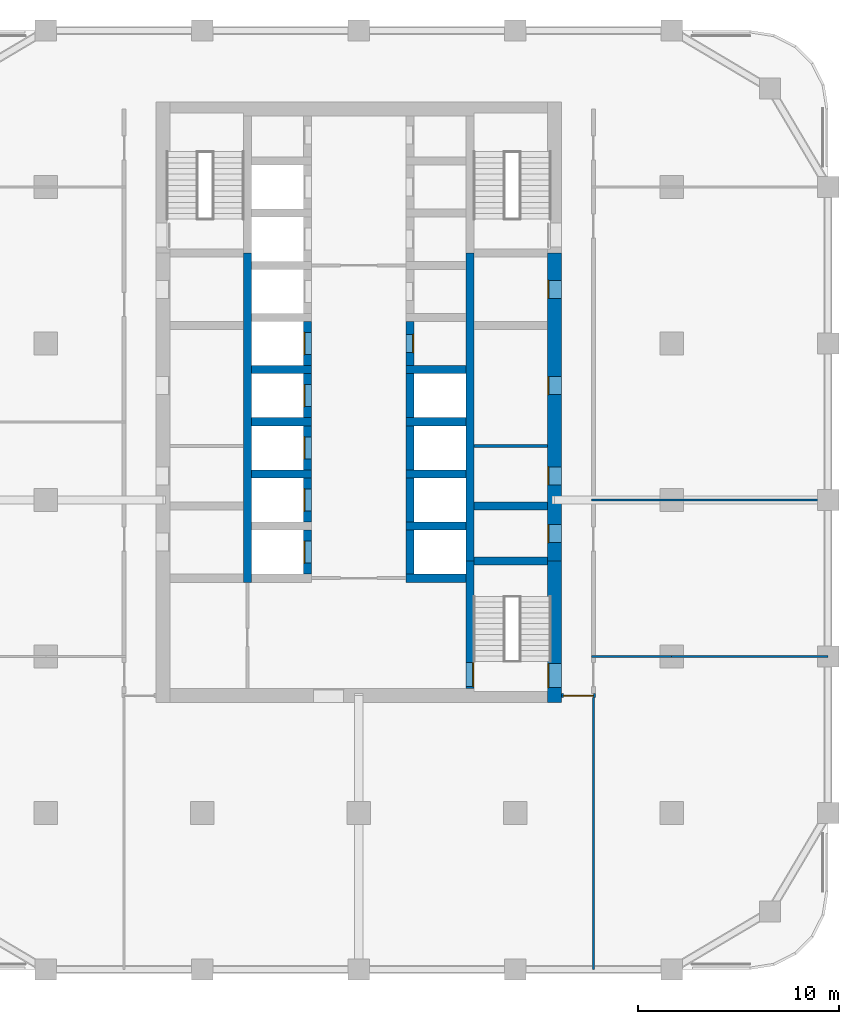
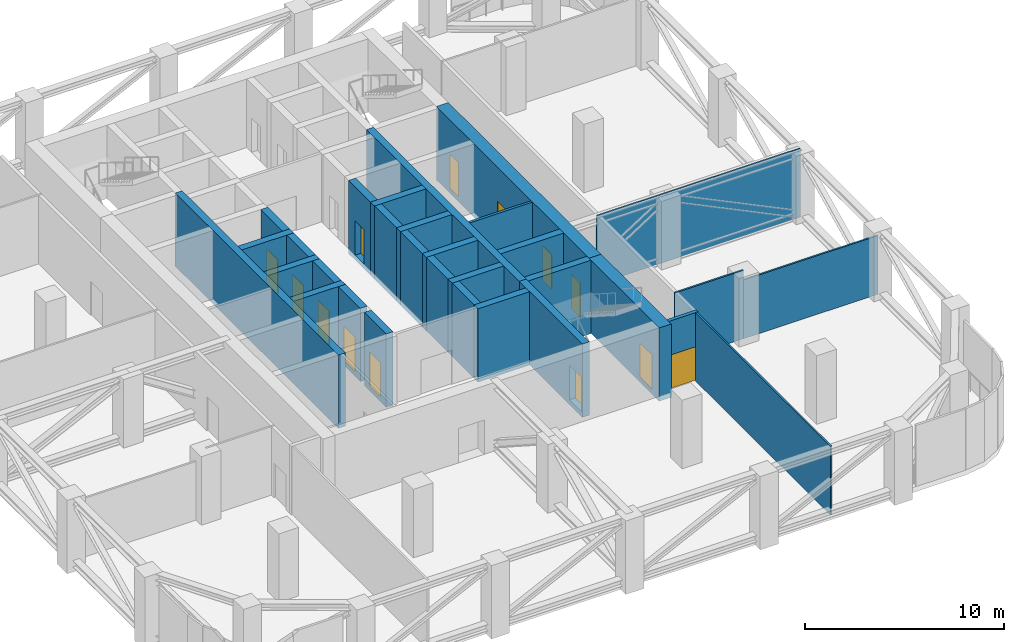
# One storey, part 3 of 8: 31 walls, 13 doors, 13 openings.
"""IFC4 building model written with IfcOpenShell, lengths in metres."""

from ifc_helpers import new_model, si_unit, direction, frame, frame_2d, origin, place, context, subcontext, project, spatial, rectangle, extrude, material, layer, layer_set, type_object, element, fill, save


model = new_model("IFC4")

# Units and contexts
model_context = context("Model", 3, precision=1e-05, world=origin(), true_north=direction((0.0, 1.0)))
body_context = subcontext(model_context, "Body", "Model", "MODEL_VIEW")
ifc_project = project(units=[si_unit("LENGTHUNIT", "METRE"), si_unit("AREAUNIT", "SQUARE_METRE"), si_unit("VOLUMEUNIT", "CUBIC_METRE"), si_unit("PLANEANGLEUNIT", "RADIAN"), si_unit("MASSUNIT", "GRAM", prefix="KILO")], contexts=[model_context])

# Site, building, storey
site_placement = place(None, origin())
site = spatial("IfcSite", under=ifc_project, at=site_placement, CompositionType="ELEMENT")
building_placement = place(site_placement, origin())
building = spatial("IfcBuilding", under=site, at=building_placement, Name="Ludao Terraces", CompositionType="ELEMENT")
storey_placement = place(building_placement, frame((0.0, 0.0, 46.699951171875)))
storey = spatial("IfcBuildingStorey", under=building, at=storey_placement, Name="L12", CompositionType="ELEMENT", Elevation=46.699951171875)

# Wall, opening, door
ifc_material_1 = material(Name="Concrete C70", Category="concrete")
ifc_layer_1 = layer(ifc_material_1, 0.699951171875)
ifc_layer_set_1 = layer_set([ifc_layer_1], Name="Core wall 700 C70")
wall_type_1 = type_object("IfcWallType", Name="Core wall 700 C70", PredefinedType="SOLIDWALL", material=ifc_layer_set_1)
wall_1_placement = place(storey_placement, frame((94.75, 54.89990234375, -0.300048828125), z_axis=(0.0, 0.0, 1.0), x_axis=(0.0, 1.0, 0.0)))
wall_1 = element("IfcWall", 1, at=wall_1_placement, inside=storey, type_object=wall_type_1, Name="Core wall L12 outer-E-S3", PredefinedType="SOLIDWALL", context=body_context, shape_type="SweptSolid", body=[
    extrude(rectangle(XDim=7.050048828125, YDim=0.699951171875, at=frame_2d((3.52490234375, 0.0))), origin(), (0.0, 0.0, 1.0), 4.5),
])
opening_1_placement = place(wall_1_placement, frame((0.75, 0.0, 0.300048828125)))
opening_1 = element("IfcOpeningElement", 2, at=opening_1_placement, cuts=wall_1, Name="Opening L12-005", PredefinedType="OPENING", context=body_context, shape_type="SweptSolid", body=[
    extrude(rectangle(XDim=1.199951171875, YDim=2.10009765625, at=frame_2d((0.60009765625, 1.050048828125))), frame((0.0, 0.35986328125, 0.0), z_axis=(0.0, -1.0, 0.0), x_axis=(1.0, 0.0, 0.0)), (0.0, 0.0, 1.0), 0.719970703125),
])
ifc_material_2 = material(Name="Steel Q235", Category="steel")
door_type_1 = type_object("IfcDoorType", Name="INT Stair door 1200", OperationType="DOUBLE_DOOR_SINGLE_SWING", PredefinedType="DOOR", material=ifc_material_2)
door_1_placement = place(opening_1_placement, origin())
door_1 = element("IfcDoor", 3, at=door_1_placement, inside=storey, type_object=door_type_1, Name="DOOR 005", OperationType="DOUBLE_DOOR_SINGLE_SWING", OverallHeight=2.10009765625, OverallWidth=1.199951171875, PredefinedType="DOOR", context=body_context, shape_type="SweptSolid", body=[
    extrude(rectangle(XDim=1.199951171875, YDim=2.10009765625, at=frame_2d((0.60009765625, 1.050048828125))), frame((0.0, 0.3349609375, 0.0), z_axis=(0.0, -1.0, 0.0), x_axis=(1.0, 0.0, 0.0)), (0.0, 0.0, 1.0), 0.050048828125),
])
fill(opening_1, door_1)

# Wall, openings, doors
wall_2_placement = place(storey_placement, frame((94.75, 61.949951171875, -0.300048828125), z_axis=(0.0, 0.0, 1.0), x_axis=(0.0, 1.0, 0.0)))
wall_2 = element("IfcWall", 4, at=wall_2_placement, inside=storey, type_object=wall_type_1, Name="Core wall L12 outer-E", PredefinedType="SOLIDWALL", context=body_context, shape_type="SweptSolid", body=[
    extrude(rectangle(XDim=15.35009765625, YDim=0.699951171875, at=frame_2d((7.675048828125, 0.0))), origin(), (0.0, 0.0, 1.0), 4.5),
])
opening_2_placement = place(wall_2_placement, frame((0.925048828125, 0.0, 0.300048828125)))
opening_2 = element("IfcOpeningElement", 5, at=opening_2_placement, cuts=wall_2, Name="Opening L12-014", PredefinedType="OPENING", context=body_context, shape_type="SweptSolid", body=[
    extrude(rectangle(XDim=0.89990234375, YDim=2.10009765625, at=frame_2d((0.449951171875, 1.050048828125))), frame((0.0, 0.35986328125, 0.0), z_axis=(0.0, -1.0, 0.0), x_axis=(1.0, 0.0, 0.0)), (0.0, 0.0, 1.0), 0.719970703125),
])
opening_3_placement = place(wall_2_placement, frame((3.800048828125, 0.0, 0.300048828125)))
opening_3 = element("IfcOpeningElement", 6, at=opening_3_placement, cuts=wall_2, Name="Opening L12-017", PredefinedType="OPENING", context=body_context, shape_type="SweptSolid", body=[
    extrude(rectangle(XDim=0.89990234375, YDim=2.10009765625, at=frame_2d((0.449951171875, 1.050048828125))), frame((0.0, 0.35986328125, 0.0), z_axis=(0.0, -1.0, 0.0), x_axis=(1.0, 0.0, 0.0)), (0.0, 0.0, 1.0), 0.719970703125),
])
opening_4_placement = place(wall_2_placement, frame((8.300048828125, 0.0, 0.300048828125)))
opening_4 = element("IfcOpeningElement", 7, at=opening_4_placement, cuts=wall_2, Name="Opening L12-021", PredefinedType="OPENING", context=body_context, shape_type="SweptSolid", body=[
    extrude(rectangle(XDim=0.89990234375, YDim=2.10009765625, at=frame_2d((0.449951171875, 1.050048828125))), frame((0.0, 0.35986328125, 0.0), z_axis=(0.0, -1.0, 0.0), x_axis=(1.0, 0.0, 0.0)), (0.0, 0.0, 1.0), 0.719970703125),
])
opening_5_placement = place(wall_2_placement, frame((13.10009765625, 0.0, 0.300048828125)))
opening_5 = element("IfcOpeningElement", 8, at=opening_5_placement, cuts=wall_2, Name="Opening L12-028", PredefinedType="OPENING", context=body_context, shape_type="SweptSolid", body=[
    extrude(rectangle(XDim=0.89990234375, YDim=2.10009765625, at=frame_2d((0.449951171875, 1.050048828125))), frame((0.0, 0.35986328125, 0.0), z_axis=(0.0, -1.0, 0.0), x_axis=(1.0, 0.0, 0.0)), (0.0, 0.0, 1.0), 0.719970703125),
])
door_type_2 = type_object("IfcDoorType", Name="INT Riser door 900", OperationType="SINGLE_SWING_LEFT", PredefinedType="DOOR", material=ifc_material_2)
door_2_placement = place(opening_2_placement, origin())
door_2 = element("IfcDoor", 9, at=door_2_placement, inside=storey, type_object=door_type_2, Name="DOOR 014", OperationType="SINGLE_SWING_LEFT", OverallHeight=2.10009765625, OverallWidth=0.89990234375, PredefinedType="DOOR", context=body_context, shape_type="SweptSolid", body=[
    extrude(rectangle(XDim=0.89990234375, YDim=2.10009765625, at=frame_2d((0.449951171875, 1.050048828125))), frame((0.0, 0.3349609375, 0.0), z_axis=(0.0, -1.0, 0.0), x_axis=(1.0, 0.0, 0.0)), (0.0, 0.0, 1.0), 0.050048828125),
])
fill(opening_2, door_2)
door_3_placement = place(opening_5_placement, origin())
door_3 = element("IfcDoor", 10, at=door_3_placement, inside=storey, type_object=door_type_2, Name="DOOR 028", OperationType="SINGLE_SWING_LEFT", OverallHeight=2.10009765625, OverallWidth=0.89990234375, PredefinedType="DOOR", context=body_context, shape_type="SweptSolid", body=[
    extrude(rectangle(XDim=0.89990234375, YDim=2.10009765625, at=frame_2d((0.449951171875, 1.050048828125))), frame((0.0, 0.3349609375, 0.0), z_axis=(0.0, -1.0, 0.0), x_axis=(1.0, 0.0, 0.0)), (0.0, 0.0, 1.0), 0.050048828125),
])
fill(opening_5, door_3)
ifc_material_3 = material(Name="Timber door leaf", Category="wood")
door_type_3 = type_object("IfcDoorType", Name="INT Room door 900", OperationType="SINGLE_SWING_LEFT", PredefinedType="DOOR", material=ifc_material_3)
door_4_placement = place(opening_3_placement, origin())
door_4 = element("IfcDoor", 11, at=door_4_placement, inside=storey, type_object=door_type_3, Name="DOOR 017", OperationType="SINGLE_SWING_LEFT", OverallHeight=2.10009765625, OverallWidth=0.89990234375, PredefinedType="DOOR", context=body_context, shape_type="SweptSolid", body=[
    extrude(rectangle(XDim=0.89990234375, YDim=2.10009765625, at=frame_2d((0.449951171875, 1.050048828125))), frame((0.0, 0.3349609375, 0.0), z_axis=(0.0, -1.0, 0.0), x_axis=(1.0, 0.0, 0.0)), (0.0, 0.0, 1.0), 0.050048828125),
])
fill(opening_3, door_4)
door_5_placement = place(opening_4_placement, origin())
door_5 = element("IfcDoor", 12, at=door_5_placement, inside=storey, type_object=door_type_3, Name="DOOR 021", OperationType="SINGLE_SWING_RIGHT", OverallHeight=2.10009765625, OverallWidth=0.89990234375, PredefinedType="DOOR", context=body_context, shape_type="SweptSolid", body=[
    extrude(rectangle(XDim=0.89990234375, YDim=2.10009765625, at=frame_2d((0.449951171875, 1.050048828125))), frame((0.0, 0.3349609375, 0.0), z_axis=(0.0, -1.0, 0.0), x_axis=(1.0, 0.0, 0.0)), (0.0, 0.0, 1.0), 0.050048828125),
])
fill(opening_4, door_5)

# Wall
ifc_material_4 = material(Name="Fire-rated gypsum plasterboard", Category="gypsum")
ifc_layer_2 = layer(ifc_material_4, 0.012451171875, Category="gypsum")
ifc_material_5 = material(Name="Mineral wool")
ifc_layer_3 = layer(ifc_material_5, 0.10009765625, Name="insulation")
ifc_layer_4 = layer(ifc_material_2, 0.02490234375, Name="stud")
ifc_layer_5 = layer(ifc_material_4, 0.012451171875, Category="gypsum")
ifc_layer_set_2 = layer_set([ifc_layer_2, ifc_layer_3, ifc_layer_4, ifc_layer_5], Name="INT Core partition 150")
wall_type_2 = type_object("IfcWallType", Name="INT Core partition 150", PredefinedType="PARTITIONING", material=ifc_layer_set_2)
wall_3_placement = place(storey_placement, frame((90.75, 67.699951171875, 0.0), z_axis=(0.0, 0.0, 1.0), x_axis=(1.0, 0.0, 0.0)))
element("IfcWall", 13, at=wall_3_placement, inside=storey, type_object=wall_type_2, Name="PW-L12-PW007", PredefinedType="PARTITIONING", context=body_context, shape_type="SweptSolid", body=[
    extrude(rectangle(XDim=3.650146484375, YDim=0.14990234375, at=frame_2d((1.8251953125, 0.0))), origin(), (0.0, 0.0, 1.0), 4.199951171875),
])

# Wall, opening, door
ifc_material_6 = material(Name="Autoclaved aerated concrete block B06 A3.5", Category="concrete")
ifc_layer_6 = layer(ifc_material_6, 0.199951171875)
ifc_layer_set_3 = layer_set([ifc_layer_6], Name="INT Entrance wall 200")
wall_type_3 = type_object("IfcWallType", Name="INT Entrance wall 200", PredefinedType="PARTITIONING", material=ifc_layer_set_3)
wall_4_placement = place(storey_placement, frame((95.10009765625, 55.25, 0.0), z_axis=(0.0, 0.0, 1.0), x_axis=(1.0, 0.0, 0.0)))
wall_4 = element("IfcWall", 14, at=wall_4_placement, inside=storey, type_object=wall_type_3, Name="PW-L12-PW001", PredefinedType="PARTITIONING", context=body_context, shape_type="SweptSolid", body=[
    extrude(rectangle(XDim=1.699951171875, YDim=0.199951171875, at=frame_2d((0.85009765625, 0.0))), origin(), (0.0, 0.0, 1.0), 4.199951171875),
])
opening_6_placement = place(wall_4_placement, frame((0.10009765625, 0.0, 0.0)))
opening_6 = element("IfcOpeningElement", 15, at=opening_6_placement, cuts=wall_4, Name="Opening L12-003", PredefinedType="OPENING", context=body_context, shape_type="SweptSolid", body=[
    extrude(rectangle(XDim=1.5, YDim=2.10009765625, at=frame_2d((0.75, 1.050048828125))), frame((0.0, 0.10986328125, 0.0), z_axis=(0.0, -1.0, 0.0), x_axis=(1.0, 0.0, 0.0)), (0.0, 0.0, 1.0), 0.219970703125),
])
door_type_4 = type_object("IfcDoorType", Name="INT Lobby door 1500", OperationType="DOUBLE_DOOR_SINGLE_SWING", PredefinedType="DOOR", material=ifc_material_2)
door_6_placement = place(opening_6_placement, origin())
door_6 = element("IfcDoor", 16, at=door_6_placement, inside=storey, type_object=door_type_4, Name="DOOR 003", OperationType="DOUBLE_DOOR_SINGLE_SWING", OverallHeight=2.10009765625, OverallWidth=1.5, PredefinedType="DOOR", context=body_context, shape_type="SweptSolid", body=[
    extrude(rectangle(XDim=1.5, YDim=2.10009765625, at=frame_2d((0.75, 1.050048828125))), frame((0.0, 0.02490234375, 0.0), z_axis=(0.0, -1.0, 0.0), x_axis=(1.0, 0.0, 0.0)), (0.0, 0.0, 1.0), 0.050048828125),
])
fill(opening_6, door_6)

# Walls
ifc_material_7 = material(Name="Gypsum plasterboard", Category="gypsum")
ifc_layer_7 = layer(ifc_material_7, 0.012451171875, Category="gypsum")
ifc_layer_8 = layer(ifc_material_5, 0.06005859375, Name="insulation")
ifc_layer_9 = layer(ifc_material_2, 0.014892578125, Name="stud")
ifc_layer_10 = layer(ifc_material_7, 0.012451171875, Category="gypsum")
ifc_layer_set_4 = layer_set([ifc_layer_7, ifc_layer_8, ifc_layer_9, ifc_layer_10], Name="INT Partition 100")
wall_type_4 = type_object("IfcWallType", Name="INT Partition 100", PredefinedType="PARTITIONING", material=ifc_layer_set_4)
wall_5_placement = place(storey_placement, frame((96.60009765625, 57.199951171875, 0.0), z_axis=(0.0, 0.0, 1.0), x_axis=(1.0, 0.0, 0.0)))
element("IfcWall", 17, at=wall_5_placement, inside=storey, type_object=wall_type_4, Name="PW-L12-PW003", PredefinedType="PARTITIONING", context=body_context, shape_type="SweptSolid", body=[
    extrude(rectangle(XDim=4.0, YDim=0.10009765625, at=frame_2d((2.0, 0.0))), origin(), (0.0, 0.0, 1.0), 4.199951171875),
])
wall_6_placement = place(storey_placement, frame((100.60009765625, 57.199951171875, 0.0), z_axis=(0.0, 0.0, 1.0), x_axis=(1.0, 0.0, 0.0)))
element("IfcWall", 18, at=wall_6_placement, inside=storey, type_object=wall_type_4, Name="PW-L12-PW003-2", PredefinedType="PARTITIONING", context=body_context, shape_type="SweptSolid", body=[
    extrude(rectangle(XDim=7.800048828125, YDim=0.10009765625, at=frame_2d((3.89990234375, 0.0))), origin(), (0.0, 0.0, 1.0), 3.60009765625),
])
wall_7_placement = place(storey_placement, frame((96.60009765625, 65.0, 0.0), z_axis=(0.0, 0.0, 1.0), x_axis=(1.0, 0.0, 0.0)))
element("IfcWall", 19, at=wall_7_placement, inside=storey, type_object=wall_type_4, Name="PW-L12-PW005", PredefinedType="PARTITIONING", context=body_context, shape_type="SweptSolid", body=[
    extrude(rectangle(XDim=11.800048828125, YDim=0.10009765625, at=frame_2d((5.89990234375, 0.0))), origin(), (0.0, 0.0, 1.0), 4.199951171875),
])
wall_8_placement = place(storey_placement, frame((96.699951171875, 41.60009765625, 0.0), z_axis=(0.0, 0.0, 1.0), x_axis=(0.0, 1.0, 0.0)))
element("IfcWall", 20, at=wall_8_placement, inside=storey, type_object=wall_type_4, Name="PW-L12-PW015", PredefinedType="PARTITIONING", context=body_context, shape_type="SweptSolid", body=[
    extrude(rectangle(XDim=13.550048828125, YDim=0.10009765625, at=frame_2d((6.77490234375, 0.0))), origin(), (0.0, 0.0, 1.0), 4.199951171875),
])
ifc_material_8 = material(Name="Concrete C60", Category="concrete")
ifc_layer_11 = layer(ifc_material_8, 0.39990234375)
ifc_layer_set_5 = layer_set([ifc_layer_11], Name="Shaft wall 400 C60")
wall_type_5 = type_object("IfcWallType", Name="Shaft wall 400 C60", PredefinedType="SOLIDWALL", material=ifc_layer_set_5)
wall_9_placement = place(storey_placement, frame((79.449951171875, 60.89990234375, -0.300048828125), z_axis=(0.0, 0.0, 1.0), x_axis=(0.0, 1.0, 0.0)))
element("IfcWall", 21, at=wall_9_placement, inside=storey, type_object=wall_type_5, Name="Core wall L12 back-W", PredefinedType="SOLIDWALL", context=body_context, shape_type="SweptSolid", body=[
    extrude(rectangle(XDim=16.400146484375, YDim=0.39990234375, at=frame_2d((8.2001953125, 0.0))), origin(), (0.0, 0.0, 1.0), 4.5),
])

# Wall, opening, door
wall_10_placement = place(storey_placement, frame((90.550048828125, 55.60009765625, -0.300048828125), z_axis=(0.0, 0.0, 1.0), x_axis=(0.0, 1.0, 0.0)))
wall_10 = element("IfcWall", 22, at=wall_10_placement, inside=storey, type_object=wall_type_5, Name="Core wall L12 back-E-S3", PredefinedType="SOLIDWALL", context=body_context, shape_type="SweptSolid", body=[
    extrude(rectangle(XDim=6.349853515625, YDim=0.39990234375, at=frame_2d((3.1748046875, 0.0))), origin(), (0.0, 0.0, 1.0), 4.5),
])
opening_7_placement = place(wall_10_placement, frame((0.10009765625, 0.0, 0.300048828125)))
opening_7 = element("IfcOpeningElement", 23, at=opening_7_placement, cuts=wall_10, Name="Opening L12-004", PredefinedType="OPENING", context=body_context, shape_type="SweptSolid", body=[
    extrude(rectangle(XDim=1.199951171875, YDim=2.10009765625, at=frame_2d((0.60009765625, 1.050048828125))), frame((0.0, 0.2099609375, 0.0), z_axis=(0.0, -1.0, 0.0), x_axis=(1.0, 0.0, 0.0)), (0.0, 0.0, 1.0), 0.419921875),
])
door_7_placement = place(opening_7_placement, origin())
door_7 = element("IfcDoor", 24, at=door_7_placement, inside=storey, type_object=door_type_1, Name="DOOR 004", OperationType="DOUBLE_DOOR_SINGLE_SWING", OverallHeight=2.10009765625, OverallWidth=1.199951171875, PredefinedType="DOOR", context=body_context, shape_type="SweptSolid", body=[
    extrude(rectangle(XDim=1.199951171875, YDim=2.10009765625, at=frame_2d((0.60009765625, 1.050048828125))), frame((0.0, -0.134765625, 0.0), z_axis=(0.0, -1.0, 0.0), x_axis=(1.0, 0.0, 0.0)), (0.0, 0.0, 1.0), 0.050048828125),
])
fill(opening_7, door_7)

# Wall
wall_11_placement = place(storey_placement, frame((90.550048828125, 61.949951171875, -0.300048828125), z_axis=(0.0, 0.0, 1.0), x_axis=(0.0, 1.0, 0.0)))
element("IfcWall", 25, at=wall_11_placement, inside=storey, type_object=wall_type_5, Name="Core wall L12 back-E", PredefinedType="SOLIDWALL", context=body_context, shape_type="SweptSolid", body=[
    extrude(rectangle(XDim=15.35009765625, YDim=0.39990234375, at=frame_2d((7.675048828125, 0.0))), origin(), (0.0, 0.0, 1.0), 4.5),
])

# Wall, opening, door
wall_12_placement = place(storey_placement, frame((82.449951171875, 61.300048828125, -0.300048828125), z_axis=(0.0, 0.0, 1.0), x_axis=(0.0, 1.0, 0.0)))
wall_12 = element("IfcWall", 26, at=wall_12_placement, inside=storey, type_object=wall_type_5, Name="Core wall L12 front-W1", PredefinedType="SOLIDWALL", context=body_context, shape_type="SweptSolid", body=[
    extrude(rectangle(XDim=2.199951171875, YDim=0.39990234375, at=frame_2d((1.10009765625, 0.0))), origin(), (0.0, 0.0, 1.0), 4.5),
])
opening_8_placement = place(wall_12_placement, frame((0.550048828125, 0.0, 0.300048828125)))
opening_8 = element("IfcOpeningElement", 27, at=opening_8_placement, cuts=wall_12, Name="Opening LD-LA1", PredefinedType="OPENING", context=body_context, shape_type="SweptSolid", body=[
    extrude(rectangle(XDim=1.10009765625, YDim=2.10009765625, at=frame_2d((0.550048828125, 1.050048828125))), frame((0.0, 0.2099609375, 0.0), z_axis=(0.0, -1.0, 0.0), x_axis=(1.0, 0.0, 0.0)), (0.0, 0.0, 1.0), 0.419921875),
])
ifc_material_9 = material(Name="Stainless steel 304", Category="steel")
door_type_5 = type_object("IfcDoorType", Name="INT Lift landing door 1100", OperationType="SLIDING_TO_LEFT", PredefinedType="DOOR", material=ifc_material_9)
door_8_placement = place(opening_8_placement, origin())
door_8 = element("IfcDoor", 28, at=door_8_placement, inside=storey, type_object=door_type_5, Name="LANDING DOOR LA1 L12", OperationType="SLIDING_TO_RIGHT", OverallHeight=2.10009765625, OverallWidth=1.10009765625, PredefinedType="DOOR", context=body_context, shape_type="SweptSolid", body=[
    extrude(rectangle(XDim=1.10009765625, YDim=2.10009765625, at=frame_2d((0.550048828125, 1.050048828125))), frame((0.0, 0.18505859375, 0.0), z_axis=(0.0, -1.0, 0.0), x_axis=(1.0, 0.0, 0.0)), (0.0, 0.0, 1.0), 0.050048828125),
])
fill(opening_8, door_8)

wall_13_placement = place(storey_placement, frame((82.449951171875, 63.89990234375, -0.300048828125), z_axis=(0.0, 0.0, 1.0), x_axis=(0.0, 1.0, 0.0)))
wall_13 = element("IfcWall", 29, at=wall_13_placement, inside=storey, type_object=wall_type_5, Name="Core wall L12 front-W2", PredefinedType="SOLIDWALL", context=body_context, shape_type="SweptSolid", body=[
    extrude(rectangle(XDim=2.2001953125, YDim=0.39990234375, at=frame_2d((1.10009765625, 0.0))), origin(), (0.0, 0.0, 1.0), 4.5),
])
opening_9_placement = place(wall_13_placement, frame((0.550048828125, 0.0, 0.300048828125)))
opening_9 = element("IfcOpeningElement", 30, at=opening_9_placement, cuts=wall_13, Name="Opening LD-LA2", PredefinedType="OPENING", context=body_context, shape_type="SweptSolid", body=[
    extrude(rectangle(XDim=1.10009765625, YDim=2.10009765625, at=frame_2d((0.550048828125, 1.050048828125))), frame((0.0, 0.2099609375, 0.0), z_axis=(0.0, -1.0, 0.0), x_axis=(1.0, 0.0, 0.0)), (0.0, 0.0, 1.0), 0.419921875),
])
door_9_placement = place(opening_9_placement, origin())
door_9 = element("IfcDoor", 31, at=door_9_placement, inside=storey, type_object=door_type_5, Name="LANDING DOOR LA2 L12", OperationType="SLIDING_TO_RIGHT", OverallHeight=2.10009765625, OverallWidth=1.10009765625, PredefinedType="DOOR", context=body_context, shape_type="SweptSolid", body=[
    extrude(rectangle(XDim=1.10009765625, YDim=2.10009765625, at=frame_2d((0.550048828125, 1.050048828125))), frame((0.0, 0.18505859375, 0.0), z_axis=(0.0, -1.0, 0.0), x_axis=(1.0, 0.0, 0.0)), (0.0, 0.0, 1.0), 0.050048828125),
])
fill(opening_9, door_9)

# Wall
wall_14_placement = place(storey_placement, frame((79.64990234375, 66.300048828125, -0.300048828125), z_axis=(0.0, 0.0, 1.0), x_axis=(1.0, 0.0, 0.0)))
element("IfcWall", 32, at=wall_14_placement, inside=storey, type_object=wall_type_5, Name="Core wall L12 div-W3", PredefinedType="SOLIDWALL", context=body_context, shape_type="SweptSolid", body=[
    extrude(rectangle(XDim=3.0, YDim=0.39990234375, at=frame_2d((1.5, 0.0))), origin(), (0.0, 0.0, 1.0), 4.5),
])

# Wall, opening, door
wall_15_placement = place(storey_placement, frame((82.449951171875, 66.5, -0.300048828125), z_axis=(0.0, 0.0, 1.0), x_axis=(0.0, 1.0, 0.0)))
wall_15 = element("IfcWall", 33, at=wall_15_placement, inside=storey, type_object=wall_type_5, Name="Core wall L12 front-W3", PredefinedType="SOLIDWALL", context=body_context, shape_type="SweptSolid", body=[
    extrude(rectangle(XDim=2.199951171875, YDim=0.39990234375, at=frame_2d((1.10009765625, 0.0))), origin(), (0.0, 0.0, 1.0), 4.5),
])
opening_10_placement = place(wall_15_placement, frame((0.550048828125, 0.0, 0.300048828125)))
opening_10 = element("IfcOpeningElement", 34, at=opening_10_placement, cuts=wall_15, Name="Opening LD-LA3", PredefinedType="OPENING", context=body_context, shape_type="SweptSolid", body=[
    extrude(rectangle(XDim=1.10009765625, YDim=2.10009765625, at=frame_2d((0.550048828125, 1.050048828125))), frame((0.0, 0.2099609375, 0.0), z_axis=(0.0, -1.0, 0.0), x_axis=(1.0, 0.0, 0.0)), (0.0, 0.0, 1.0), 0.419921875),
])
door_10_placement = place(opening_10_placement, origin())
door_10 = element("IfcDoor", 35, at=door_10_placement, inside=storey, type_object=door_type_5, Name="LANDING DOOR LA3 L12", OperationType="SLIDING_TO_RIGHT", OverallHeight=2.10009765625, OverallWidth=1.10009765625, PredefinedType="DOOR", context=body_context, shape_type="SweptSolid", body=[
    extrude(rectangle(XDim=1.10009765625, YDim=2.10009765625, at=frame_2d((0.550048828125, 1.050048828125))), frame((0.0, 0.18505859375, 0.0), z_axis=(0.0, -1.0, 0.0), x_axis=(1.0, 0.0, 0.0)), (0.0, 0.0, 1.0), 0.050048828125),
])
fill(opening_10, door_10)

# Wall
wall_16_placement = place(storey_placement, frame((79.64990234375, 68.89990234375, -0.300048828125), z_axis=(0.0, 0.0, 1.0), x_axis=(1.0, 0.0, 0.0)))
element("IfcWall", 36, at=wall_16_placement, inside=storey, type_object=wall_type_5, Name="Core wall L12 div-W4", PredefinedType="SOLIDWALL", context=body_context, shape_type="SweptSolid", body=[
    extrude(rectangle(XDim=3.0, YDim=0.39990234375, at=frame_2d((1.5, 0.0))), origin(), (0.0, 0.0, 1.0), 4.5),
])

# Wall, opening, door
wall_17_placement = place(storey_placement, frame((82.449951171875, 69.10009765625, -0.300048828125), z_axis=(0.0, 0.0, 1.0), x_axis=(0.0, 1.0, 0.0)))
wall_17 = element("IfcWall", 37, at=wall_17_placement, inside=storey, type_object=wall_type_5, Name="Core wall L12 front-W4", PredefinedType="SOLIDWALL", context=body_context, shape_type="SweptSolid", body=[
    extrude(rectangle(XDim=2.199951171875, YDim=0.39990234375, at=frame_2d((1.10009765625, 0.0))), origin(), (0.0, 0.0, 1.0), 4.5),
])
opening_11_placement = place(wall_17_placement, frame((0.550048828125, 0.0, 0.300048828125)))
opening_11 = element("IfcOpeningElement", 38, at=opening_11_placement, cuts=wall_17, Name="Opening LD-LA4", PredefinedType="OPENING", context=body_context, shape_type="SweptSolid", body=[
    extrude(rectangle(XDim=1.10009765625, YDim=2.10009765625, at=frame_2d((0.550048828125, 1.050048828125))), frame((0.0, 0.2099609375, 0.0), z_axis=(0.0, -1.0, 0.0), x_axis=(1.0, 0.0, 0.0)), (0.0, 0.0, 1.0), 0.419921875),
])
door_11_placement = place(opening_11_placement, origin())
door_11 = element("IfcDoor", 39, at=door_11_placement, inside=storey, type_object=door_type_5, Name="LANDING DOOR LA4 L12", OperationType="SLIDING_TO_LEFT", OverallHeight=2.10009765625, OverallWidth=1.10009765625, PredefinedType="DOOR", context=body_context, shape_type="SweptSolid", body=[
    extrude(rectangle(XDim=1.10009765625, YDim=2.10009765625, at=frame_2d((0.550048828125, 1.050048828125))), frame((0.0, 0.18505859375, 0.0), z_axis=(0.0, -1.0, 0.0), x_axis=(1.0, 0.0, 0.0)), (0.0, 0.0, 1.0), 0.050048828125),
])
fill(opening_11, door_11)

# Wall
wall_18_placement = place(storey_placement, frame((79.64990234375, 71.5, -0.300048828125), z_axis=(0.0, 0.0, 1.0), x_axis=(1.0, 0.0, 0.0)))
element("IfcWall", 40, at=wall_18_placement, inside=storey, type_object=wall_type_5, Name="Core wall L12 div-W5", PredefinedType="SOLIDWALL", context=body_context, shape_type="SweptSolid", body=[
    extrude(rectangle(XDim=3.0, YDim=0.39990234375, at=frame_2d((1.5, 0.0))), origin(), (0.0, 0.0, 1.0), 4.5),
])

# Wall, opening, door
wall_19_placement = place(storey_placement, frame((82.449951171875, 71.699951171875, -0.300048828125), z_axis=(0.0, 0.0, 1.0), x_axis=(0.0, 1.0, 0.0)))
wall_19 = element("IfcWall", 41, at=wall_19_placement, inside=storey, type_object=wall_type_5, Name="Core wall L12 front-W5", PredefinedType="SOLIDWALL", context=body_context, shape_type="SweptSolid", body=[
    extrude(rectangle(XDim=2.199951171875, YDim=0.39990234375, at=frame_2d((1.10009765625, 0.0))), origin(), (0.0, 0.0, 1.0), 4.5),
])
opening_12_placement = place(wall_19_placement, frame((0.550048828125, 0.0, 0.300048828125)))
opening_12 = element("IfcOpeningElement", 42, at=opening_12_placement, cuts=wall_19, Name="Opening LD-LA5", PredefinedType="OPENING", context=body_context, shape_type="SweptSolid", body=[
    extrude(rectangle(XDim=1.10009765625, YDim=2.10009765625, at=frame_2d((0.550048828125, 1.050048828125))), frame((0.0, 0.2099609375, 0.0), z_axis=(0.0, -1.0, 0.0), x_axis=(1.0, 0.0, 0.0)), (0.0, 0.0, 1.0), 0.419921875),
])
door_12_placement = place(opening_12_placement, origin())
door_12 = element("IfcDoor", 43, at=door_12_placement, inside=storey, type_object=door_type_5, Name="LANDING DOOR LA5 L12", OperationType="SLIDING_TO_LEFT", OverallHeight=2.10009765625, OverallWidth=1.10009765625, PredefinedType="DOOR", context=body_context, shape_type="SweptSolid", body=[
    extrude(rectangle(XDim=1.10009765625, YDim=2.10009765625, at=frame_2d((0.550048828125, 1.050048828125))), frame((0.0, 0.18505859375, 0.0), z_axis=(0.0, -1.0, 0.0), x_axis=(1.0, 0.0, 0.0)), (0.0, 0.0, 1.0), 0.050048828125),
])
fill(opening_12, door_12)

# Walls
wall_20_placement = place(storey_placement, frame((87.35009765625, 61.10009765625, -0.300048828125), z_axis=(0.0, 0.0, 1.0), x_axis=(1.0, 0.0, 0.0)))
element("IfcWall", 44, at=wall_20_placement, inside=storey, type_object=wall_type_5, Name="Core wall L12 div-E1", PredefinedType="SOLIDWALL", context=body_context, shape_type="SweptSolid", body=[
    extrude(rectangle(XDim=3.0, YDim=0.39990234375, at=frame_2d((1.5, 0.0))), origin(), (0.0, 0.0, 1.0), 4.5),
])
wall_21_placement = place(storey_placement, frame((87.550048828125, 61.300048828125, -0.300048828125), z_axis=(0.0, 0.0, 1.0), x_axis=(0.0, 1.0, 0.0)))
element("IfcWall", 45, at=wall_21_placement, inside=storey, type_object=wall_type_5, Name="Core wall L12 front-E1", PredefinedType="SOLIDWALL", context=body_context, shape_type="SweptSolid", body=[
    extrude(rectangle(XDim=2.199951171875, YDim=0.39990234375, at=frame_2d((1.10009765625, 0.0))), origin(), (0.0, 0.0, 1.0), 4.5),
])
wall_22_placement = place(storey_placement, frame((87.35009765625, 63.699951171875, -0.300048828125), z_axis=(0.0, 0.0, 1.0), x_axis=(1.0, 0.0, 0.0)))
element("IfcWall", 46, at=wall_22_placement, inside=storey, type_object=wall_type_5, Name="Core wall L12 div-E2", PredefinedType="SOLIDWALL", context=body_context, shape_type="SweptSolid", body=[
    extrude(rectangle(XDim=3.0, YDim=0.39990234375, at=frame_2d((1.5, 0.0))), origin(), (0.0, 0.0, 1.0), 4.5),
])
wall_23_placement = place(storey_placement, frame((87.550048828125, 63.89990234375, -0.300048828125), z_axis=(0.0, 0.0, 1.0), x_axis=(0.0, 1.0, 0.0)))
element("IfcWall", 47, at=wall_23_placement, inside=storey, type_object=wall_type_5, Name="Core wall L12 front-E2", PredefinedType="SOLIDWALL", context=body_context, shape_type="SweptSolid", body=[
    extrude(rectangle(XDim=2.2001953125, YDim=0.39990234375, at=frame_2d((1.10009765625, 0.0))), origin(), (0.0, 0.0, 1.0), 4.5),
])
wall_24_placement = place(storey_placement, frame((87.35009765625, 66.300048828125, -0.300048828125), z_axis=(0.0, 0.0, 1.0), x_axis=(1.0, 0.0, 0.0)))
element("IfcWall", 48, at=wall_24_placement, inside=storey, type_object=wall_type_5, Name="Core wall L12 div-E3", PredefinedType="SOLIDWALL", context=body_context, shape_type="SweptSolid", body=[
    extrude(rectangle(XDim=3.0, YDim=0.39990234375, at=frame_2d((1.5, 0.0))), origin(), (0.0, 0.0, 1.0), 4.5),
])
wall_25_placement = place(storey_placement, frame((87.550048828125, 66.5, -0.300048828125), z_axis=(0.0, 0.0, 1.0), x_axis=(0.0, 1.0, 0.0)))
element("IfcWall", 49, at=wall_25_placement, inside=storey, type_object=wall_type_5, Name="Core wall L12 front-E3", PredefinedType="SOLIDWALL", context=body_context, shape_type="SweptSolid", body=[
    extrude(rectangle(XDim=2.199951171875, YDim=0.39990234375, at=frame_2d((1.10009765625, 0.0))), origin(), (0.0, 0.0, 1.0), 4.5),
])
wall_26_placement = place(storey_placement, frame((87.35009765625, 68.89990234375, -0.300048828125), z_axis=(0.0, 0.0, 1.0), x_axis=(1.0, 0.0, 0.0)))
element("IfcWall", 50, at=wall_26_placement, inside=storey, type_object=wall_type_5, Name="Core wall L12 div-E4", PredefinedType="SOLIDWALL", context=body_context, shape_type="SweptSolid", body=[
    extrude(rectangle(XDim=3.0, YDim=0.39990234375, at=frame_2d((1.5, 0.0))), origin(), (0.0, 0.0, 1.0), 4.5),
])
wall_27_placement = place(storey_placement, frame((87.550048828125, 69.10009765625, -0.300048828125), z_axis=(0.0, 0.0, 1.0), x_axis=(0.0, 1.0, 0.0)))
element("IfcWall", 51, at=wall_27_placement, inside=storey, type_object=wall_type_5, Name="Core wall L12 front-E4", PredefinedType="SOLIDWALL", context=body_context, shape_type="SweptSolid", body=[
    extrude(rectangle(XDim=2.199951171875, YDim=0.39990234375, at=frame_2d((1.10009765625, 0.0))), origin(), (0.0, 0.0, 1.0), 4.5),
])
wall_28_placement = place(storey_placement, frame((87.35009765625, 71.5, -0.300048828125), z_axis=(0.0, 0.0, 1.0), x_axis=(1.0, 0.0, 0.0)))
element("IfcWall", 52, at=wall_28_placement, inside=storey, type_object=wall_type_5, Name="Core wall L12 div-E5", PredefinedType="SOLIDWALL", context=body_context, shape_type="SweptSolid", body=[
    extrude(rectangle(XDim=3.0, YDim=0.39990234375, at=frame_2d((1.5, 0.0))), origin(), (0.0, 0.0, 1.0), 4.5),
])

# Wall, opening, door
wall_29_placement = place(storey_placement, frame((87.550048828125, 71.699951171875, -0.300048828125), z_axis=(0.0, 0.0, 1.0), x_axis=(0.0, 1.0, 0.0)))
wall_29 = element("IfcWall", 53, at=wall_29_placement, inside=storey, type_object=wall_type_5, Name="Core wall L12 front-E5", PredefinedType="SOLIDWALL", context=body_context, shape_type="SweptSolid", body=[
    extrude(rectangle(XDim=2.199951171875, YDim=0.39990234375, at=frame_2d((1.10009765625, 0.0))), origin(), (0.0, 0.0, 1.0), 4.5),
])
opening_13_placement = place(wall_29_placement, frame((0.64990234375, 0.0, 0.300048828125)))
opening_13 = element("IfcOpeningElement", 54, at=opening_13_placement, cuts=wall_29, Name="Opening L12-023", PredefinedType="OPENING", context=body_context, shape_type="SweptSolid", body=[
    extrude(rectangle(XDim=0.89990234375, YDim=2.10009765625, at=frame_2d((0.449951171875, 1.050048828125))), frame((0.0, 0.2099609375, 0.0), z_axis=(0.0, -1.0, 0.0), x_axis=(1.0, 0.0, 0.0)), (0.0, 0.0, 1.0), 0.419921875),
])
door_13_placement = place(opening_13_placement, origin())
door_13 = element("IfcDoor", 55, at=door_13_placement, inside=storey, type_object=door_type_3, Name="DOOR 023", OperationType="SINGLE_SWING_RIGHT", OverallHeight=2.10009765625, OverallWidth=0.89990234375, PredefinedType="DOOR", context=body_context, shape_type="SweptSolid", body=[
    extrude(rectangle(XDim=0.89990234375, YDim=2.10009765625, at=frame_2d((0.449951171875, 1.050048828125))), frame((0.0, -0.134765625, 0.0), z_axis=(0.0, -1.0, 0.0), x_axis=(1.0, 0.0, 0.0)), (0.0, 0.0, 1.0), 0.050048828125),
])
fill(opening_13, door_13)

# Walls
for number, where, z_axis, x_axis, name in (
    (56, (90.75, 61.949951171875, -0.300048828125), (0.0, 0.0, 1.0), (1.0, 0.0, 0.0), "Core wall L12 hall-E"),
    (57, (90.75, 64.699951171875, -0.300048828125), (0.0, 0.0, 1.0), (1.0, 0.0, 0.0), "Core wall L12 riser-a-E"),
):
    element("IfcWall", number, at=place(storey_placement, frame(where, z_axis=z_axis, x_axis=x_axis)), inside=storey, type_object=wall_type_5, Name=name, PredefinedType="SOLIDWALL", context=body_context, shape_type="SweptSolid", body=[
        extrude(rectangle(XDim=3.64990234375, YDim=0.39990234375, at=frame_2d((1.824951171875, 0.0))), origin(), (0.0, 0.0, 1.0), 4.5),
    ])

save(model, "model.ifc")
